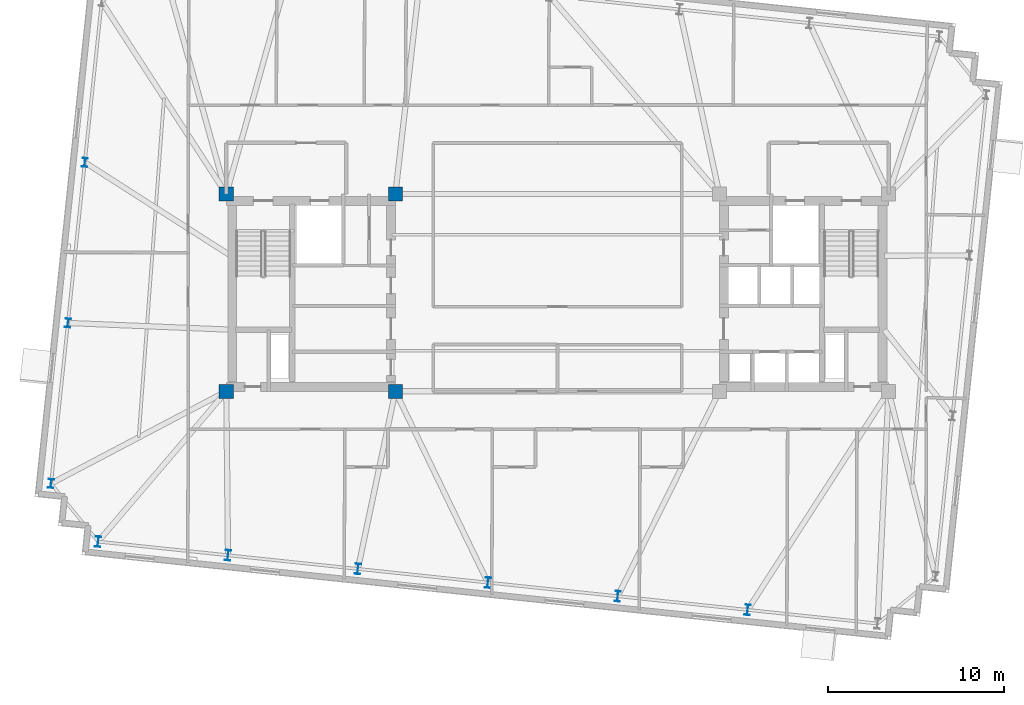
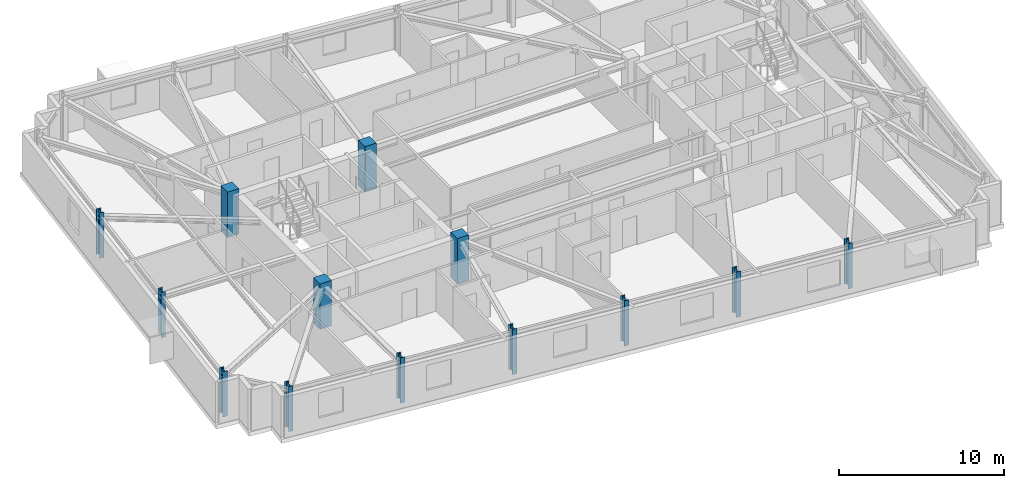
# One storey, part 1 of 11: 13 columns.
"""IFC4 building model written with IfcOpenShell, lengths in metres."""

import ifcopenshell
import ifcopenshell.guid

model = None  # the IFC model being written
_history = None  # IfcOwnerHistory: only IFC2X3 demands one
_inside = {}  # id of a spatial element -> (the spatial element, [elements in it])
_under = {}  # id of a project, library or spatial element -> (it, [spatial elements below it])
_declared = {}  # id of a project -> (the project, [libraries it declares])
_typed = {}  # id of a type object -> (the type object, [elements of that type])
_made_of = {}  # id of a material, layer set ... -> (it, [elements and type objects made of it])


def new_model(schema):
    """Start an empty IFC model of exactly this schema.

    Asked for "IFC4X3", IfcOpenShell would pick the latest addendum, in which some entities
    have other attributes; the version numbers below select the first issue.
    IFC2X3 requires an IfcOwnerHistory on every rooted entity: one is made here for all.
    """
    global model, _history
    if schema == "IFC4X3":
        model = ifcopenshell.file(schema_version=(4, 3, 0, 0))
    else:
        model = ifcopenshell.file(schema=schema)
    _inside.clear()
    _under.clear()
    _declared.clear()
    _typed.clear()
    _made_of.clear()
    _history = None
    if model.schema == "IFC2X3":
        org = make("IfcOrganization", Name="unknown")
        user = make(
            "IfcPersonAndOrganization",
            ThePerson=make("IfcPerson", FamilyName="unknown"),
            TheOrganization=org,
        )
        app = make(
            "IfcApplication",
            ApplicationDeveloper=org,
            Version="unknown",
            ApplicationFullName="unknown",
            ApplicationIdentifier="unknown",
        )
        _history = make(
            "IfcOwnerHistory",
            OwningUser=user,
            OwningApplication=app,
            ChangeAction="ADDED",
            CreationDate=0,
        )
    return model


def make(cls, **values):
    """One entity of the class cls with the attributes given. An attribute that is None is left unset."""
    return model.create_entity(
        cls, **{name: value for name, value in values.items() if value is not None}
    )


def rooted(cls, **values):
    """An entity with a GlobalId (a new one), such as an element, a storey or a relation."""
    return make(cls, GlobalId=ifcopenshell.guid.new(), OwnerHistory=_history, **values)


def si_unit(unit_type, name, prefix=None):
    """IfcSIUnit, for example si_unit("LENGTHUNIT", "METRE", prefix="MILLI")."""
    return make("IfcSIUnit", UnitType=unit_type, Prefix=prefix, Name=name)


def assignment(units):
    """IfcUnitAssignment: the units of a project."""
    return None if units is None else make("IfcUnitAssignment", Units=units)


def point(xyz):
    """IfcCartesianPoint."""
    return None if xyz is None else make("IfcCartesianPoint", Coordinates=xyz)


def direction(xyz):
    """IfcDirection."""
    return None if xyz is None else make("IfcDirection", DirectionRatios=xyz)


def frame(location, z_axis=None, x_axis=None):
    """IfcAxis2Placement3D, a coordinate frame: its origin and axes. An axis left out is left unset."""
    return make(
        "IfcAxis2Placement3D",
        Location=point(location),
        Axis=direction(z_axis),
        RefDirection=direction(x_axis),
    )


def frame_2d(location, x_axis=None):
    """IfcAxis2Placement2D, a coordinate frame in the plane: its origin and x axis."""
    return make(
        "IfcAxis2Placement2D", Location=point(location), RefDirection=direction(x_axis)
    )


def origin():
    """The frame at (0, 0, 0) with its axes left unset."""
    return frame((0.0, 0.0, 0.0))


def origin_2d():
    """The frame at (0, 0) in the plane with its x axis left unset."""
    return frame_2d((0.0, 0.0))


def place(relative_to, where):
    """IfcLocalPlacement: puts the frame where relative to a parent placement (None: the world)."""
    return make(
        "IfcLocalPlacement", PlacementRelTo=relative_to, RelativePlacement=where
    )


def context(
    kind, dimensions, precision=None, world=None, true_north=None, identifier=None
):
    """IfcGeometricRepresentationContext, for example the 3D "Model" context."""
    return make(
        "IfcGeometricRepresentationContext",
        ContextIdentifier=identifier,
        ContextType=kind,
        CoordinateSpaceDimension=dimensions,
        Precision=precision,
        WorldCoordinateSystem=world,
        TrueNorth=true_north,
    )


def subcontext(parent, identifier, kind, view, scale=None):
    """IfcGeometricRepresentationSubContext, for example "Body" below "Model"."""
    return make(
        "IfcGeometricRepresentationSubContext",
        ContextIdentifier=identifier,
        ContextType=kind,
        ParentContext=parent,
        TargetScale=scale,
        TargetView=view,
    )


def project(units=None, contexts=None):
    """IfcProject with its units and contexts."""
    return rooted(
        "IfcProject",
        Name="project",
        RepresentationContexts=contexts,
        UnitsInContext=assignment(units),
    )


def spatial(cls, under=None, at=None, **own):
    """A site, building, storey or space (cls), placed at a placement, below another one or the project."""
    s = rooted(cls, ObjectPlacement=at, **own)
    if under is not None:
        _under.setdefault(under.id(), (under, []))[1].append(s)
    return s


def profile(cls, at=None, kind="AREA", **sizes):
    """A parametric profile (cls). Its sizes go by their IFC names, for example OverallWidth=200.0."""
    return make(cls, ProfileType=kind, Position=at, **sizes)


def rectangle(**sizes):
    """IfcRectangleProfileDef."""
    return profile("IfcRectangleProfileDef", **sizes)


def i_section(**sizes):
    """IfcIShapeProfileDef."""
    return profile("IfcIShapeProfileDef", **sizes)


def extrude(swept, where, along, depth):
    """IfcExtrudedAreaSolid: the profile swept, set in the frame where, extruded along a direction by depth."""
    return make(
        "IfcExtrudedAreaSolid",
        SweptArea=swept,
        Position=where,
        ExtrudedDirection=direction(along),
        Depth=depth,
    )


def shape(context_of_items, identifier, shape_type, items):
    """IfcShapeRepresentation: the items that make up one representation, for example the "Body"."""
    return make(
        "IfcShapeRepresentation",
        ContextOfItems=context_of_items,
        RepresentationIdentifier=identifier,
        RepresentationType=shape_type,
        Items=items,
    )


def material(Name=None, Category=None):
    """IfcMaterial."""
    return make("IfcMaterial", Name=Name, Category=Category)


def material_profile(
    of_material, cross_section, Name=None, Category=None, Priority=None
):
    """IfcMaterialProfile: a cross section and its material."""
    return make(
        "IfcMaterialProfile",
        Name=Name,
        Material=of_material,
        Profile=cross_section,
        Priority=Priority,
        Category=Category,
    )


def profile_set(profiles, Name=None, composite=None):
    """IfcMaterialProfileSet."""
    return make(
        "IfcMaterialProfileSet",
        Name=Name,
        MaterialProfiles=profiles,
        CompositeProfile=composite,
    )


def made_of(thing, what):
    """Note that an element or type object is made of a material, layer set ...; save() writes the relation."""
    if what is not None:
        _made_of.setdefault(what.id(), (what, []))[1].append(thing)
    return thing


def type_object(cls, material=None, **own):
    """A type object (cls), such as IfcWallType, which elements share."""
    return made_of(rooted(cls, **own), material)


def element(
    cls,
    number,
    at=None,
    inside=None,
    cuts=None,
    type_object=None,
    material=None,
    context=None,
    identifier="Body",
    shape_type=None,
    held_by="IfcProductDefinitionShape",
    body=None,
    shapes=None,
    **own,
):
    """One element of the class cls, such as IfcWall. Its Tag is "e" and its number.

    at: its placement. inside: the storey or other place that contains it. cuts: it is an
    opening in that element (IfcRelVoidsElement). A single representation is given by context,
    identifier, shape_type and body (its items); several are given by shapes. held_by: the class
    of the entity that holds the representations. save() writes the other relations.
    """
    e = rooted(cls, Tag="e%d" % number, ObjectPlacement=at, **own)
    if body is not None:
        shapes = [shape(context, identifier, shape_type, body)]
    if shapes is not None:
        e.Representation = make(held_by, Representations=shapes)
    if inside is not None:
        _inside.setdefault(inside.id(), (inside, []))[1].append(e)
    if cuts is not None:
        rooted(
            "IfcRelVoidsElement", RelatingBuildingElement=cuts, RelatedOpeningElement=e
        )
    if type_object is not None:
        _typed.setdefault(type_object.id(), (type_object, []))[1].append(e)
    return made_of(e, material)


def aggregate(whole, parts):
    """IfcRelAggregates: a whole, such as a stair, and the parts it consists of."""
    return rooted("IfcRelAggregates", RelatingObject=whole, RelatedObjects=parts)


def save(model, path):
    """Write the relations noted so far, then the file.

    IfcRelAggregates (storeys below a building ...), IfcRelContainedInSpatialStructure (elements
    in a storey), IfcRelDefinesByType, IfcRelAssociatesMaterial and IfcRelDeclares: one each for
    every whole, place, type object, material and project.
    """
    for whole, parts in _under.values():
        aggregate(whole, parts)
    for where, things in _inside.values():
        rooted(
            "IfcRelContainedInSpatialStructure",
            RelatedElements=things,
            RelatingStructure=where,
        )
    for kind, things in _typed.values():
        rooted("IfcRelDefinesByType", RelatedObjects=things, RelatingType=kind)
    for what, things in _made_of.values():
        rooted("IfcRelAssociatesMaterial", RelatedObjects=things, RelatingMaterial=what)
    for by, libraries in _declared.values():
        rooted("IfcRelDeclares", RelatingContext=by, RelatedDefinitions=libraries)
    model.write(path)


model = new_model("IFC4")

# Units and contexts
model_context = context("Model", 3, precision=1e-05, world=origin(), true_north=direction((0.0, 1.0)))
body_context = subcontext(model_context, "Body", "Model", "MODEL_VIEW")
ifc_project = project(units=[si_unit("LENGTHUNIT", "METRE"), si_unit("AREAUNIT", "SQUARE_METRE"), si_unit("VOLUMEUNIT", "CUBIC_METRE"), si_unit("PLANEANGLEUNIT", "RADIAN"), si_unit("MASSUNIT", "GRAM", prefix="KILO")], contexts=[model_context])

# Site, building, storey
site_placement = place(None, origin())
site = spatial("IfcSite", under=ifc_project, at=site_placement, CompositionType="ELEMENT")
building_placement = place(site_placement, origin())
building = spatial("IfcBuilding", under=site, at=building_placement, Name="Qobustan Lattice House", CompositionType="ELEMENT")
storey_placement = place(building_placement, frame((0.0, 0.0, 193.050048828125)))
storey = spatial("IfcBuildingStorey", under=building, at=storey_placement, Name="L54", CompositionType="ELEMENT", Elevation=193.050048828125)

# Columns
ifc_material_1 = material(Name="Concrete C50/60", Category="concrete")
ifc_material_profile_1 = material_profile(ifc_material_1, rectangle(XDim=0.800048828125, YDim=0.800048828125, at=origin_2d()), Name="RC800x800")
ifc_profile_set_1 = profile_set([ifc_material_profile_1], Name="Concrete C50/60")
column_type_1 = type_object("IfcColumnType", Name="COL-RC-800", PredefinedType="COLUMN", material=ifc_profile_set_1)
for number, where, z_axis, x_axis, name in (
    (1, (-18.800048828125, -5.60009765625, 0.0), (0.0, 0.0, 1.0), (1.0, 0.0, 0.0), "L54 core mega-column CW-SW"),
    (2, (-18.800048828125, 5.60009765625, 0.0), (0.0, 0.0, 1.0), (1.0, 0.0, 0.0), "L54 core mega-column CW-NW"),
    (3, (-9.199951171875, -5.60009765625, 0.0), (0.0, 0.0, 1.0), (1.0, 0.0, 0.0), "L54 core mega-column CW-SE"),
    (4, (-9.199951171875, 5.60009765625, 0.0), (0.0, 0.0, 1.0), (1.0, 0.0, 0.0), "L54 core mega-column CW-NE"),
):
    element("IfcColumn", number, at=place(storey_placement, frame(where, z_axis=z_axis, x_axis=x_axis)), inside=storey, type_object=column_type_1, Name=name, PredefinedType="COLUMN", context=body_context, shape_type="SweptSolid", body=[
        extrude(rectangle(XDim=0.800048828125, YDim=0.800048828125, at=origin_2d()), origin(), (0.0, 0.0, 1.0), 3.349853515625),
    ])
ifc_material_2 = material(Name="Steel S355", Category="steel")
ifc_material_profile_2 = material_profile(ifc_material_2, i_section(OverallWidth=0.300048828125, OverallDepth=0.5, WebThickness=0.014404296875, FlangeThickness=0.028076171875, FilletRadius=0.027099609375, at=origin_2d()), Name="HEB500")
ifc_profile_set_2 = profile_set([ifc_material_profile_2], Name="Steel S355")
column_type_2 = type_object("IfcColumnType", Name="COL-ST-HEB500", PredefinedType="COLUMN", material=ifc_profile_set_2)
for number, where, z_axis, x_axis, name in (
    (5, (-26.83251953125, 7.397705078125, 0.0), (0.0, 0.0, 1.0), (0.994521895368, -0.104528463268, 0.0), "L54 B4 perimeter column W2"),
    (6, (-27.790771484375, -1.718994140625, 0.0), (0.0, 0.0, 1.0), (0.994521895368, -0.104528463268, 0.0), "L54 B4 perimeter column W3"),
    (7, (-28.748779296875, -10.835205078125, 0.0), (0.0, 0.0, 1.0), (0.994521895368, -0.104528463268, 0.0), "L54 B4 perimeter column W4"),
):
    element("IfcColumn", number, at=place(storey_placement, frame(where, z_axis=z_axis, x_axis=x_axis)), inside=storey, type_object=column_type_2, Name=name, PredefinedType="COLUMN", context=body_context, shape_type="SweptSolid", body=[
        extrude(i_section(OverallWidth=0.300048828125, OverallDepth=0.5, WebThickness=0.014404296875, FlangeThickness=0.028076171875, FilletRadius=0.027099609375, at=origin_2d()), origin(), (0.0, 0.0, 1.0), 3.349853515625),
    ])
ifc_material_3 = material(Name="Steel S355", Category="steel")
ifc_material_profile_3 = material_profile(ifc_material_3, i_section(OverallWidth=0.300048828125, OverallDepth=0.60009765625, WebThickness=0.015380859375, FlangeThickness=0.030029296875, FilletRadius=0.027099609375, at=origin_2d()), Name="HEB600")
ifc_profile_set_3 = profile_set([ifc_material_profile_3], Name="Steel S355")
column_type_3 = type_object("IfcColumnType", Name="COL-ST-HEB600", PredefinedType="COLUMN", material=ifc_profile_set_3)
for number, where, z_axis, x_axis, name in (
    (8, (-26.0791015625, -14.132568359375, 0.0), (0.0, 0.0, 1.0), (0.994521895368, -0.104528463268, 0.0), "L54 B4 perimeter column S1"),
    (9, (-18.702880859375, -14.90771484375, 0.0), (0.0, 0.0, 1.0), (0.994521895368, -0.104528463268, 0.0), "L54 B4 perimeter column S2"),
    (10, (-11.326904296875, -15.68310546875, 0.0), (0.0, 0.0, 1.0), (0.994521895368, -0.104528463268, 0.0), "L54 B4 perimeter column S3"),
    (11, (-3.950927734375, -16.458251953125, 0.0), (0.0, 0.0, 1.0), (0.994521895368, -0.104528463268, 0.0), "L54 B4 perimeter column S4"),
    (12, (3.42529296875, -17.2333984375, 0.0), (0.0, 0.0, 1.0), (0.994521895368, -0.104528463268, 0.0), "L54 B4 perimeter column S5"),
    (13, (10.80126953125, -18.0087890625, 0.0), (0.0, 0.0, 1.0), (0.994521895368, -0.104528463268, 0.0), "L54 B4 perimeter column S6"),
):
    element("IfcColumn", number, at=place(storey_placement, frame(where, z_axis=z_axis, x_axis=x_axis)), inside=storey, type_object=column_type_3, Name=name, PredefinedType="COLUMN", context=body_context, shape_type="SweptSolid", body=[
        extrude(i_section(OverallWidth=0.300048828125, OverallDepth=0.60009765625, WebThickness=0.015380859375, FlangeThickness=0.030029296875, FilletRadius=0.027099609375, at=origin_2d()), origin(), (0.0, 0.0, 1.0), 3.349853515625),
    ])

save(model, "model.ifc")
